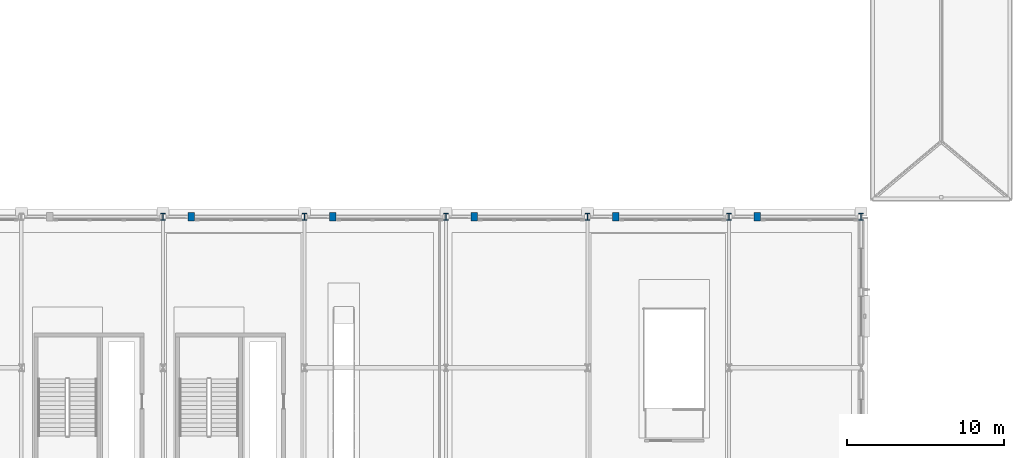
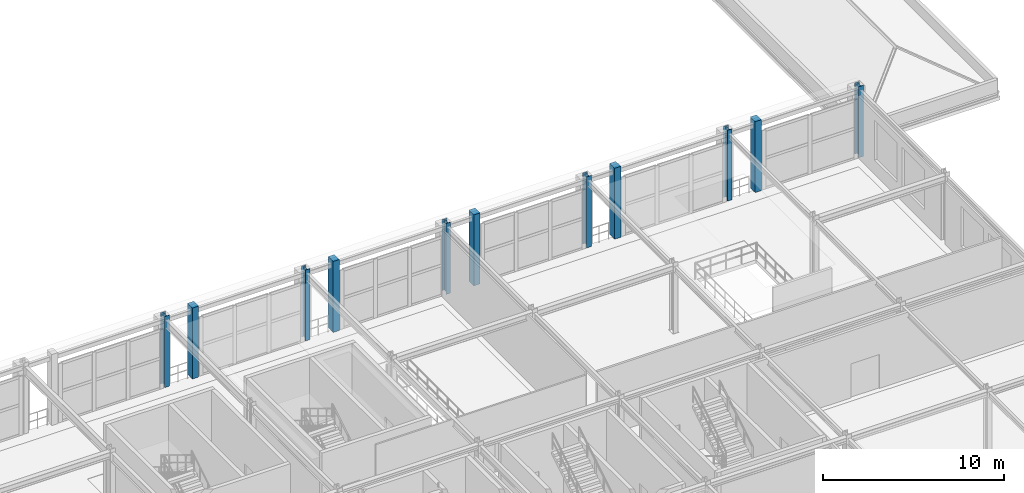
# One storey, part 19 of 125: 11 columns.
"""IFC4 building model written with IfcOpenShell, lengths in metres."""

from ifc_helpers import new_model, si_unit, direction, frame, origin, origin_2d, place, context, subcontext, project, spatial, rectangle, i_section, extrude, material, material_profile, profile_set, type_object, element, save


model = new_model("IFC4")

# Units and contexts
model_context = context("Model", 3, precision=1e-05, world=origin(), true_north=direction((0.0, 1.0)))
body_context = subcontext(model_context, "Body", "Model", "MODEL_VIEW")
ifc_project = project(units=[si_unit("LENGTHUNIT", "METRE"), si_unit("AREAUNIT", "SQUARE_METRE"), si_unit("VOLUMEUNIT", "CUBIC_METRE"), si_unit("PLANEANGLEUNIT", "RADIAN"), si_unit("MASSUNIT", "GRAM", prefix="KILO")], contexts=[model_context])

# Site, building, storey
site_placement = place(None, origin())
site = spatial("IfcSite", under=ifc_project, at=site_placement, CompositionType="ELEMENT")
building_placement = place(site_placement, origin())
building = spatial("IfcBuilding", under=site, at=building_placement, Name="Myrtia Square Station", CompositionType="ELEMENT")
storey_placement = place(building_placement, frame((0.0, 0.0, 6.0)))
storey = spatial("IfcBuildingStorey", under=building, at=storey_placement, Name="L01", CompositionType="ELEMENT", Elevation=6.0)

# Columns
ifc_material_1 = material(Name="Steel S355", Category="steel")
ifc_material_profile_1 = material_profile(ifc_material_1, i_section(OverallWidth=0.300048828125, OverallDepth=0.449951171875, WebThickness=0.013916015625, FlangeThickness=0.02587890625, FilletRadius=0.027099609375, at=origin_2d()), Name="HEB 450")
ifc_profile_set_1 = profile_set([ifc_material_profile_1], Name="Steel S355")
column_type_1 = type_object("IfcColumnType", Name="COL-HEB450", PredefinedType="COLUMN", material=ifc_profile_set_1)
for number, where, z_axis, x_axis, name in (
    (1, (135.0, 38.39990234375, 0.0), (0.0, 0.0, 1.0), (1.0, 0.0, 0.0), "Column L01-0631"),
    (2, (144.0, 38.39990234375, 0.0), (0.0, 0.0, 1.0), (1.0, 0.0, 0.0), "Column L01-0656"),
    (3, (153.0, 38.39990234375, 0.0), (0.0, 0.0, 1.0), (1.0, 0.0, 0.0), "Column L01-0677"),
    (4, (162.0, 38.39990234375, 0.0), (0.0, 0.0, 1.0), (1.0, 0.0, 0.0), "Column L01-0697"),
    (5, (171.0, 38.39990234375, 0.0), (0.0, 0.0, 1.0), (1.0, 0.0, 0.0), "Column L01-0715"),
    (6, (179.39990234375, 38.39990234375, 0.0), (0.0, 0.0, 1.0), (1.0, 0.0, 0.0), "Column L01-0733"),
):
    element("IfcColumn", number, at=place(storey_placement, frame(where, z_axis=z_axis, x_axis=x_axis)), inside=storey, type_object=column_type_1, Name=name, PredefinedType="COLUMN", context=body_context, shape_type="SweptSolid", body=[
        extrude(i_section(OverallWidth=0.300048828125, OverallDepth=0.449951171875, WebThickness=0.013916015625, FlangeThickness=0.02587890625, FilletRadius=0.027099609375, at=origin_2d()), origin(), (0.0, 0.0, 1.0), 4.800048828125),
    ])
ifc_material_2 = material(Name="Concrete C40/50", Category="concrete")
ifc_material_profile_2 = material_profile(ifc_material_2, rectangle(XDim=0.39990234375, YDim=0.550048828125, at=origin_2d()), Name="PIL 400x550")
ifc_profile_set_2 = profile_set([ifc_material_profile_2], Name="Concrete C40/50")
column_type_2 = type_object("IfcColumnType", Name="PIL-RC400x550", PredefinedType="PILASTER", material=ifc_profile_set_2)
for number, where, z_axis, x_axis, name in (
    (7, (136.800048828125, 38.39990234375, 0.0), (0.0, 0.0, 1.0), (1.0, 0.0, 0.0), "Portales arcade pilaster L01-08"),
    (8, (145.800048828125, 38.39990234375, 0.0), (0.0, 0.0, 1.0), (1.0, 0.0, 0.0), "Portales arcade pilaster L01-09"),
    (9, (154.800048828125, 38.39990234375, 0.0), (0.0, 0.0, 1.0), (1.0, 0.0, 0.0), "Portales arcade pilaster L01-10"),
    (10, (163.800048828125, 38.39990234375, 0.0), (0.0, 0.0, 1.0), (1.0, 0.0, 0.0), "Portales arcade pilaster L01-11"),
    (11, (172.800048828125, 38.39990234375, 0.0), (0.0, 0.0, 1.0), (1.0, 0.0, 0.0), "Portales arcade pilaster L01-12"),
):
    element("IfcColumn", number, at=place(storey_placement, frame(where, z_axis=z_axis, x_axis=x_axis)), inside=storey, type_object=column_type_2, Name=name, PredefinedType="PILASTER", context=body_context, shape_type="SweptSolid", body=[
        extrude(rectangle(XDim=0.39990234375, YDim=0.550048828125, at=origin_2d()), origin(), (0.0, 0.0, 1.0), 4.800048828125),
    ])

save(model, "model.ifc")
